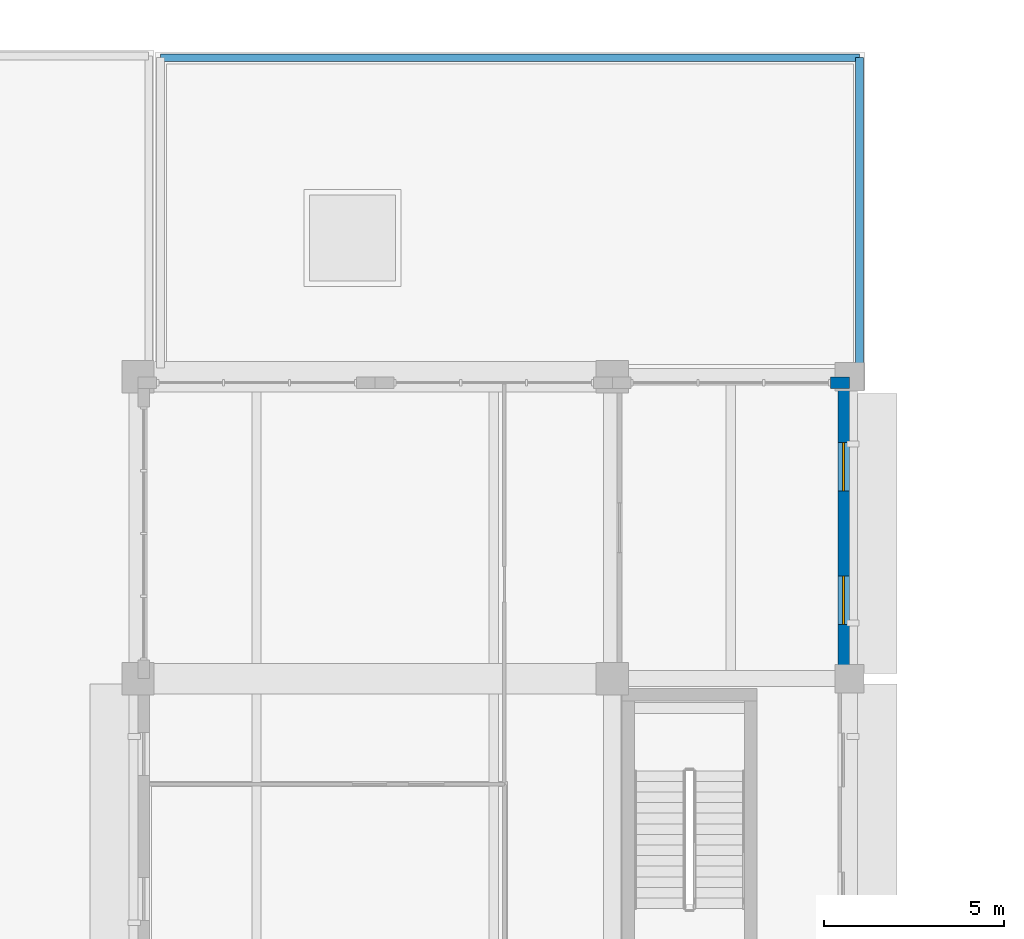
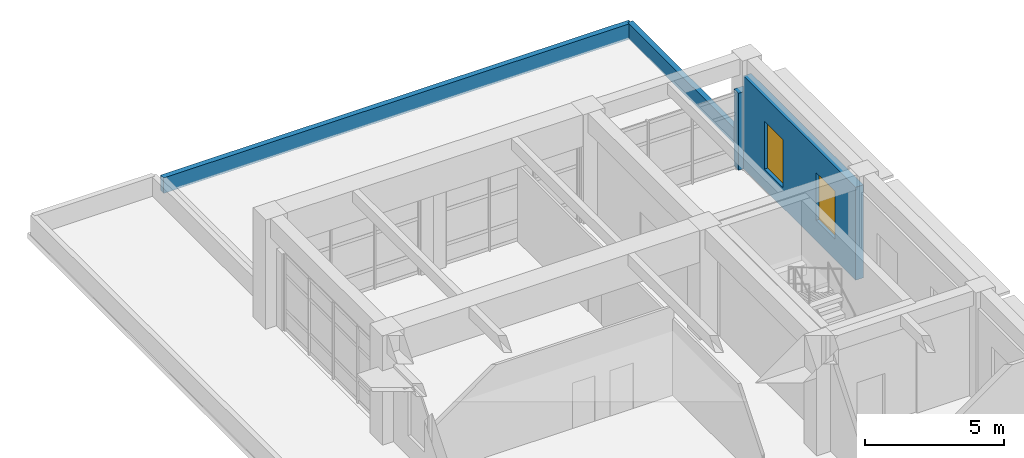
# One storey, part 56 of 75: 4 walls, 2 windows, 2 openings.
"""IFC4 building model written with IfcOpenShell, lengths in metres."""

from ifc_helpers import new_model, si_unit, direction, frame, frame_2d, origin, place, context, subcontext, project, spatial, rectangle, extrude, material, layer, layer_set, type_object, element, fill, save


model = new_model("IFC4")

# Units and contexts
model_context = context("Model", 3, precision=1e-05, world=origin(), true_north=direction((0.0, 1.0)))
body_context = subcontext(model_context, "Body", "Model", "MODEL_VIEW")
ifc_project = project(units=[si_unit("LENGTHUNIT", "METRE"), si_unit("AREAUNIT", "SQUARE_METRE"), si_unit("VOLUMEUNIT", "CUBIC_METRE"), si_unit("PLANEANGLEUNIT", "RADIAN"), si_unit("MASSUNIT", "GRAM", prefix="KILO")], contexts=[model_context])

# Site, building, storey
site_placement = place(None, origin())
site = spatial("IfcSite", under=ifc_project, at=site_placement, CompositionType="ELEMENT")
building_placement = place(site_placement, origin())
building = spatial("IfcBuilding", under=site, at=building_placement, Name="Kolvaren Faculty of Natural Sciences", CompositionType="ELEMENT")
storey_placement = place(building_placement, frame((0.0, 0.0, 5.39990234375)))
storey = spatial("IfcBuildingStorey", under=building, at=storey_placement, Name="L01", CompositionType="ELEMENT", Elevation=5.39990234375)

# Wall
ifc_material_1 = material(Name="Sandstone-faced insulated cavity masonry", Category="masonry")
ifc_layer_1 = layer(ifc_material_1, 0.320068359375)
ifc_layer_set_1 = layer_set([ifc_layer_1], Name="Sandstone-faced insulated cavity masonry")
wall_type_1 = type_object("IfcWallType", Name="ExteriorCavityWall_320", PredefinedType="STANDARD", material=ifc_layer_set_1)
wall_1_placement = place(storey_placement, frame((138.280029296875, 109.239990234375, 0.0), z_axis=(0.0, 0.0, 1.0), x_axis=(1.0, 0.0, 0.0)))
element("IfcWall", 1, at=wall_1_placement, inside=storey, type_object=wall_type_1, Name="L01 curtain-wall pier stub 207", PredefinedType="STANDARD", context=body_context, shape_type="SweptSolid", body=[
    extrude(rectangle(XDim=0.52001953125, YDim=0.320068359375, at=frame_2d((0.260009765625, 0.0))), origin(), (0.0, 0.0, 1.0), 3.385009765625),
])

# Wall, openings, windows
wall_2_placement = place(storey_placement, frame((138.639892578125, 109.080078125, 0.0), z_axis=(0.0, 0.0, 1.0), x_axis=(0.0, -1.0, 0.0)))
wall_2 = element("IfcWall", 2, at=wall_2_placement, inside=storey, type_object=wall_type_1, Name="L01 exterior masonry wall EW-320 (208)", PredefinedType="STANDARD", context=body_context, shape_type="SweptSolid", body=[
    extrude(rectangle(XDim=8.080078125, YDim=0.320068359375, at=frame_2d((4.0400390625, 0.0))), origin(), (0.0, 0.0, 1.0), 4.085205078125),
])
opening_1_placement = place(wall_2_placement, frame((1.506591796875, 0.0, 0.89990234375)))
opening_1 = element("IfcOpeningElement", 3, at=opening_1_placement, cuts=wall_2, Name="Opening WIN-02", PredefinedType="OPENING", context=body_context, shape_type="SweptSolid", body=[
    extrude(rectangle(XDim=1.35009765625, YDim=2.10009765625, at=frame_2d((0.675048828125, 1.050048828125))), frame((0.0, 0.169921875, 0.0), z_axis=(0.0, -1.0, 0.0), x_axis=(1.0, 0.0, 0.0)), (0.0, 0.0, 1.0), 0.340087890625),
])
opening_2_placement = place(wall_2_placement, frame((5.223388671875, 0.0, 0.89990234375)))
opening_2 = element("IfcOpeningElement", 4, at=opening_2_placement, cuts=wall_2, Name="Opening WIN-02", PredefinedType="OPENING", context=body_context, shape_type="SweptSolid", body=[
    extrude(rectangle(XDim=1.35009765625, YDim=2.10009765625, at=frame_2d((0.675048828125, 1.050048828125))), frame((0.0, 0.169921875, 0.0), z_axis=(0.0, -1.0, 0.0), x_axis=(1.0, 0.0, 0.0)), (0.0, 0.0, 1.0), 0.340087890625),
])
ifc_material_2 = material(Name="Double low-E solar control insulated glazing", Category="glass")
window_type = type_object("IfcWindowType", Name="AluWindow_WIN02_1350x2100", PartitioningType="SINGLE_PANEL", PredefinedType="WINDOW", material=ifc_material_2)
window_1_placement = place(opening_1_placement, origin())
window_1 = element("IfcWindow", 5, at=window_1_placement, inside=storey, type_object=window_type, Name="WIN-L01-0175", OverallHeight=2.10009765625, OverallWidth=1.35009765625, PartitioningType="SINGLE_PANEL", PredefinedType="WINDOW", context=body_context, shape_type="SweptSolid", body=[
    extrude(rectangle(XDim=1.35009765625, YDim=2.10009765625, at=frame_2d((0.675048828125, 1.050048828125))), frame((0.0, 0.030029296875, 0.0), z_axis=(0.0, -1.0, 0.0), x_axis=(1.0, 0.0, 0.0)), (0.0, 0.0, 1.0), 0.06005859375),
])
fill(opening_1, window_1)
window_2_placement = place(opening_2_placement, origin())
window_2 = element("IfcWindow", 6, at=window_2_placement, inside=storey, type_object=window_type, Name="WIN-L01-0176", OverallHeight=2.10009765625, OverallWidth=1.35009765625, PartitioningType="SINGLE_PANEL", PredefinedType="WINDOW", context=body_context, shape_type="SweptSolid", body=[
    extrude(rectangle(XDim=1.35009765625, YDim=2.10009765625, at=frame_2d((0.675048828125, 1.050048828125))), frame((0.0, 0.030029296875, 0.0), z_axis=(0.0, -1.0, 0.0), x_axis=(1.0, 0.0, 0.0)), (0.0, 0.0, 1.0), 0.06005859375),
])
fill(opening_2, window_2)

# Walls
ifc_material_3 = material(Name="Precast concrete C35/45", Category="concrete")
ifc_layer_2 = layer(ifc_material_3, 0.219970703125)
ifc_layer_set_2 = layer_set([ifc_layer_2], Name="Precast concrete C35/45")
wall_type_2 = type_object("IfcWallType", Name="ParapetUpstandWall_220", PredefinedType="PARAPET", material=ifc_layer_set_2)
wall_3_placement = place(storey_placement, frame((119.6298828125, 118.280029296875, 0.0), z_axis=(0.0, 0.0, 1.0), x_axis=(1.0, 0.0, 0.0)))
element("IfcWall", 7, at=wall_3_placement, inside=storey, type_object=wall_type_2, Name="L01 architectural sandstone roof parapet 17", PredefinedType="PARAPET", context=body_context, shape_type="SweptSolid", body=[
    extrude(rectangle(XDim=19.4501953125, YDim=0.219970703125, at=frame_2d((9.72509765625, 0.0))), origin(), (0.0, 0.0, 1.0), 0.68017578125),
])
wall_4_placement = place(storey_placement, frame((139.080078125, 118.280029296875, 0.0), z_axis=(0.0, 0.0, 1.0), x_axis=(0.0, -1.0, 0.0)))
element("IfcWall", 8, at=wall_4_placement, inside=storey, type_object=wall_type_2, Name="L01 architectural sandstone roof parapet 18", PredefinedType="PARAPET", context=body_context, shape_type="SweptSolid", body=[
    extrude(rectangle(XDim=9.110107421875, YDim=0.219970703125, at=frame_2d((4.55517578125, 0.0))), origin(), (0.0, 0.0, 1.0), 0.68017578125),
])

save(model, "model.ifc")
